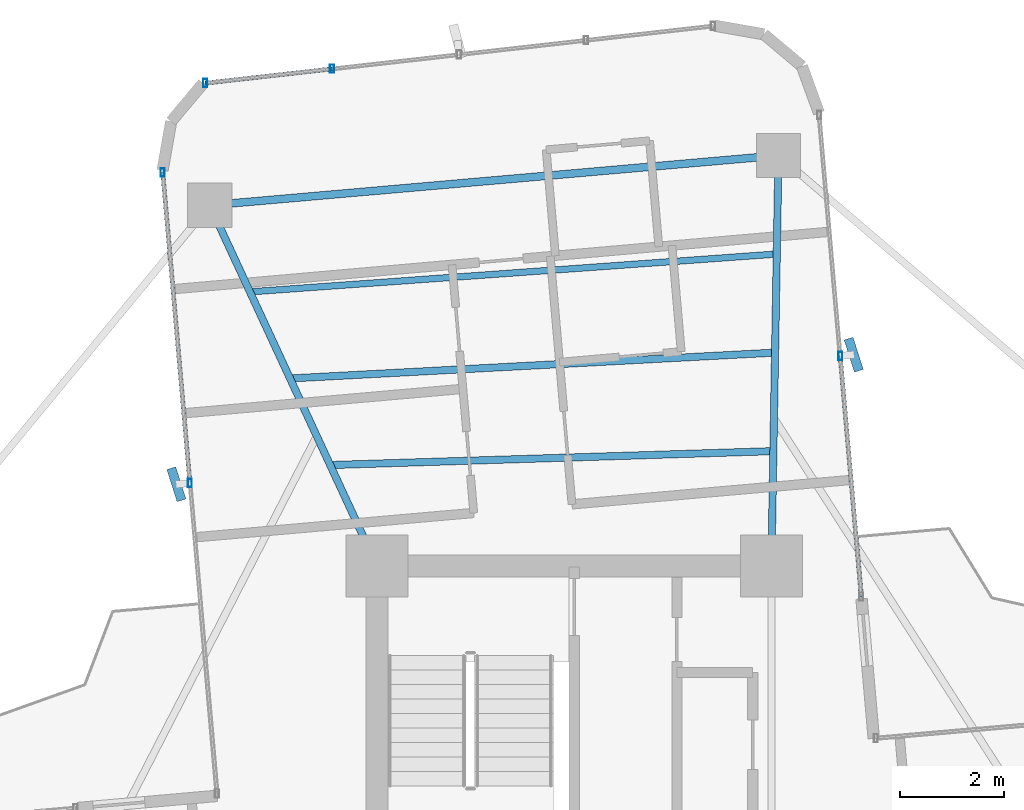
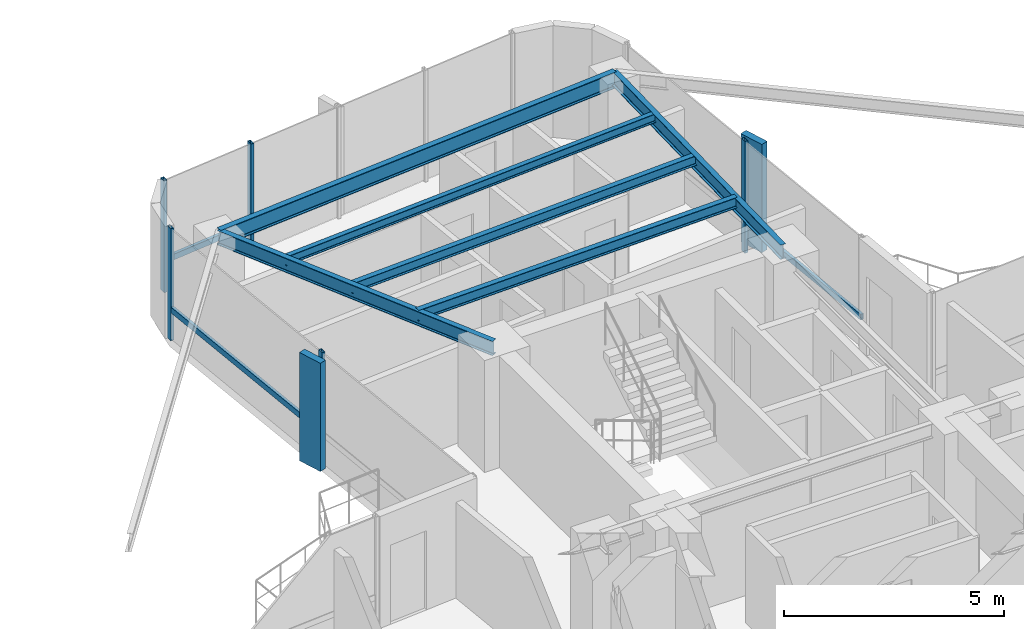
# One storey, part 16 of 24: 10 members, 6 beams, 3 elements without a shape of their own.
"""IFC4 building model written with IfcOpenShell, lengths in metres."""

from ifc_helpers import new_model, si_unit, direction, frame, origin, origin_2d, place, context, subcontext, project, spatial, rectangle, hollow_rectangle, i_section, extrude, source, transform, mapped, material, material_profile, profile_set, type_object, element, aggregate, save


model = new_model("IFC4")

# Units and contexts
model_context = context("Model", 3, precision=1e-05, world=origin(), true_north=direction((0.0, 1.0)))
body_context = subcontext(model_context, "Body", "Model", "MODEL_VIEW")
ifc_project = project(units=[si_unit("LENGTHUNIT", "METRE"), si_unit("AREAUNIT", "SQUARE_METRE"), si_unit("VOLUMEUNIT", "CUBIC_METRE"), si_unit("PLANEANGLEUNIT", "RADIAN"), si_unit("MASSUNIT", "GRAM", prefix="KILO")], contexts=[model_context])

# Site, building, storey
site_placement = place(None, origin())
site = spatial("IfcSite", under=ifc_project, at=site_placement, CompositionType="ELEMENT")
building_placement = place(site_placement, origin())
building = spatial("IfcBuilding", under=site, at=building_placement, Name="Sahyath Konkavel Grand Hotel", CompositionType="ELEMENT")
storey_placement = place(building_placement, frame((0.0, 0.0, 157.300048828125)))
storey = spatial("IfcBuildingStorey", under=building, at=storey_placement, Name="L43", CompositionType="ELEMENT", Elevation=157.300048828125)

# Beams
ifc_material_1 = material(Name="Steel E350", Category="steel")
ifc_material_profile_1 = material_profile(ifc_material_1, i_section(OverallWidth=0.139892578125, OverallDepth=0.39990234375, WebThickness=0.0087890625, FlangeThickness=0.01611328125, FilletRadius=0.013916015625, at=origin_2d()), Name="ISMB 400")
ifc_profile_set_1 = profile_set([ifc_material_profile_1], Name="Steel E350")
beam_type_1 = type_object("IfcBeamType", Name="BM-ISMB400", PredefinedType="BEAM", material=ifc_profile_set_1)
shared_shape_1 = source(origin(), body_context, "Body", "SweptSolid", [
    extrude(i_section(OverallWidth=0.139892578125, OverallDepth=0.39990234375, WebThickness=0.0087890625, FlangeThickness=0.01611328125, FilletRadius=0.013916015625, at=origin_2d()), origin(), (0.0, 0.0, 1.0), 7.913330078125),
])
beam_1_placement = place(storey_placement, frame((3.800048828125, 10.199951171875, 2.909912109375), z_axis=(0.017215419232, 0.999851803689, 0.0), x_axis=(-0.999851803689, 0.017215419232, 0.0)))
element("IfcBeam", 1, at=beam_1_placement, inside=storey, type_object=beam_type_1, Name="L43 Cruciform Radial Girder NA", PredefinedType="BEAM", context=body_context, shape_type="MappedRepresentation", body=[
    mapped(shared_shape_1, transform((0.0, 0.0, 0.0), scale=1.0)),
])
shared_shape_2 = source(origin(), body_context, "Body", "SweptSolid", [
    extrude(i_section(OverallWidth=0.139892578125, OverallDepth=0.39990234375, WebThickness=0.0087890625, FlangeThickness=0.01611328125, FilletRadius=0.013916015625, at=origin_2d()), origin(), (0.0, 0.0, 1.0), 7.66357421875),
])
beam_2_placement = place(storey_placement, frame((-3.800048828125, 10.199951171875, 2.909912109375), z_axis=(-0.420395127561, 0.907341135804, 0.0), x_axis=(-0.907341135804, -0.420395127561, 0.0)))
element("IfcBeam", 2, at=beam_2_placement, inside=storey, type_object=beam_type_1, Name="L43 Cruciform Radial Girder NB", PredefinedType="BEAM", context=body_context, shape_type="MappedRepresentation", body=[
    mapped(shared_shape_2, transform((0.0, 0.0, 0.0), scale=1.0)),
])
ifc_material_profile_2 = material_profile(ifc_material_1, i_section(OverallWidth=0.14990234375, OverallDepth=0.449951171875, WebThickness=0.009521484375, FlangeThickness=0.017333984375, FilletRadius=0.014892578125, at=origin_2d()), Name="ISMB 450")
ifc_profile_set_2 = profile_set([ifc_material_profile_2], Name="Steel E350")
beam_type_2 = type_object("IfcBeamType", Name="BM-ISMB450", PredefinedType="BEAM", material=ifc_profile_set_2)
shared_shape_3 = source(origin(), body_context, "Body", "SweptSolid", [
    extrude(i_section(OverallWidth=0.14990234375, OverallDepth=0.449951171875, WebThickness=0.009521484375, FlangeThickness=0.017333984375, FilletRadius=0.014892578125, at=origin_2d()), origin(), (0.0, 0.0, 1.0), 10.999755859375),
])
beam_3_placement = place(storey_placement, frame((3.936279296875, 18.112060546875, 2.885009765625), z_axis=(-0.99619439202, -0.087159241098, 0.0), x_axis=(0.087159241098, -0.99619439202, 0.0)))
element("IfcBeam", 3, at=beam_3_placement, inside=storey, type_object=beam_type_2, Name="L43 Wing Tip Edge Beam N", PredefinedType="BEAM", context=body_context, shape_type="MappedRepresentation", body=[
    mapped(shared_shape_3, transform((0.0, 0.0, 0.0), scale=1.0)),
])
ifc_material_profile_3 = material_profile(ifc_material_1, i_section(OverallWidth=0.139892578125, OverallDepth=0.300048828125, WebThickness=0.0078125, FlangeThickness=0.01318359375, FilletRadius=0.013916015625, at=origin_2d()), Name="ISMB 300")
ifc_profile_set_3 = profile_set([ifc_material_profile_3], Name="Steel E350")
beam_type_3 = type_object("IfcBeamType", Name="BM-ISMB300", PredefinedType="BEAM", material=ifc_profile_set_3)
shared_shape_4 = source(origin(), body_context, "Body", "SweptSolid", [
    extrude(i_section(OverallWidth=0.139892578125, OverallDepth=0.300048828125, WebThickness=0.0078125, FlangeThickness=0.01318359375, FilletRadius=0.013916015625, at=origin_2d()), origin(), (0.0, 0.0, 1.0), 8.54443359375),
])
beam_4_placement = place(storey_placement, frame((3.838134765625, 12.415283203125, 2.9599609375), z_axis=(-0.999506849365, -0.031401561632, 0.0), x_axis=(0.031401561632, -0.999506849365, 0.0)))
element("IfcBeam", 4, at=beam_4_placement, inside=storey, type_object=beam_type_3, Name="L43 Secondary Floor Beam N-1", PredefinedType="BEAM", context=body_context, shape_type="MappedRepresentation", body=[
    mapped(shared_shape_4, transform((0.0, 0.0, 0.0), scale=1.0)),
])
ifc_material_profile_4 = material_profile(ifc_material_1, i_section(OverallWidth=0.139892578125, OverallDepth=0.27490234375, WebThickness=0.00634765625, FlangeThickness=0.0087890625, FilletRadius=0.012939453125, at=origin_2d()), Name="ISLB 275")
ifc_profile_set_4 = profile_set([ifc_material_profile_4], Name="Steel E350")
beam_type_4 = type_object("IfcBeamType", Name="BM-ISLB275", PredefinedType="BEAM", material=ifc_profile_set_4)
shared_shape_5 = source(origin(), body_context, "Body", "SweptSolid", [
    extrude(i_section(OverallWidth=0.139892578125, OverallDepth=0.27490234375, WebThickness=0.00634765625, FlangeThickness=0.0087890625, FilletRadius=0.012939453125, at=origin_2d()), origin(), (0.0, 0.0, 1.0), 9.359375),
])
beam_5_placement = place(storey_placement, frame((3.870849609375, 14.314208984375, 2.972412109375), z_axis=(-0.998580397723, -0.053265272769, 0.0), x_axis=(0.053265272769, -0.998580397723, 0.0)))
element("IfcBeam", 5, at=beam_5_placement, inside=storey, type_object=beam_type_4, Name="L43 Secondary Floor Beam N-2", PredefinedType="BEAM", context=body_context, shape_type="MappedRepresentation", body=[
    mapped(shared_shape_5, transform((0.0, 0.0, 0.0), scale=1.0)),
])
ifc_material_profile_5 = material_profile(ifc_material_1, i_section(OverallWidth=0.125, OverallDepth=0.25, WebThickness=0.0068359375, FlangeThickness=0.012451171875, FilletRadius=0.012939453125, at=origin_2d()), Name="ISMB 250")
ifc_profile_set_5 = profile_set([ifc_material_profile_5], Name="Steel E350")
beam_type_5 = type_object("IfcBeamType", Name="BM-ISMB250", PredefinedType="BEAM", material=ifc_profile_set_5)
shared_shape_6 = source(origin(), body_context, "Body", "SweptSolid", [
    extrude(i_section(OverallWidth=0.125, OverallDepth=0.25, WebThickness=0.0068359375, FlangeThickness=0.012451171875, FilletRadius=0.012939453125, at=origin_2d()), origin(), (0.0, 0.0, 1.0), 10.178466796875),
])
beam_6_placement = place(storey_placement, frame((3.90380859375, 16.213134765625, 2.98486328125), z_axis=(-0.997435268886, -0.071574327683, 0.0), x_axis=(0.071574327683, -0.997435268886, 0.0)))
element("IfcBeam", 6, at=beam_6_placement, inside=storey, type_object=beam_type_5, Name="L43 Secondary Floor Beam N-3", PredefinedType="BEAM", context=body_context, shape_type="MappedRepresentation", body=[
    mapped(shared_shape_6, transform((0.0, 0.0, 0.0), scale=1.0)),
])

# Curtain wall, member
ifc_material_2 = material(Name="Anodised Bronze Aluminium & Low-E Glazing", Category="aluminium")
curtain_wall_type = type_object("IfcCurtainWallType", Name="CW-ZONE3", PredefinedType="NOTDEFINED", material=ifc_material_2)
curtain_wall_1_placement = place(storey_placement, origin())
curtain_wall_1 = element("IfcCurtainWall", 7, at=curtain_wall_1_placement, inside=storey, type_object=curtain_wall_type, Name="L43 Unitised Curtain Wall F8", PredefinedType="NOTDEFINED")
ifc_material_3 = material(Name="Anodised Bronze Aluminium", Category="aluminium")
ifc_material_profile_6 = material_profile(ifc_material_3, hollow_rectangle(XDim=0.080078125, YDim=0.159912109375, WallThickness=0.006103515625, at=origin_2d()), Name="RHS 160x80x6")
ifc_profile_set_6 = profile_set([ifc_material_profile_6], Name="Anodised Bronze Aluminium")
member_type_1 = type_object("IfcMemberType", Name="CW-MUL-160", PredefinedType="MULLION", material=ifc_profile_set_6)
shared_shape_7 = source(origin(), body_context, "Body", "SweptSolid", [
    extrude(hollow_rectangle(XDim=0.080078125, YDim=0.159912109375, WallThickness=0.006103515625, at=origin_2d()), origin(), (0.0, 0.0, 1.0), 3.10986328125),
])
member_1_placement = place(storey_placement, frame((5.12744140625, 14.251220703125, 0.0), z_axis=(0.0, 0.0, 1.0), x_axis=(1.0, 0.0, 0.0)))
member_1 = element("IfcMember", 8, at=member_1_placement, type_object=member_type_1, Name="L43 Curtain Wall Mullion F8-1", PredefinedType="MULLION", context=body_context, shape_type="MappedRepresentation", body=[
    mapped(shared_shape_7, transform((0.0, 0.0, 0.0), scale=1.0)),
])

# Curtain wall, members
curtain_wall_2_placement = place(storey_placement, origin())
curtain_wall_2 = element("IfcCurtainWall", 9, at=curtain_wall_2_placement, inside=storey, type_object=curtain_wall_type, Name="L43 Unitised Curtain Wall F12", PredefinedType="NOTDEFINED")
member_2_placement = place(storey_placement, frame((-4.665771484375, 19.783203125, 0.0), z_axis=(0.0, 0.0, 1.0), x_axis=(1.0, 0.0, 0.0)))
member_2 = element("IfcMember", 10, at=member_2_placement, type_object=member_type_1, Name="L43 Curtain Wall Mullion F12-3", PredefinedType="MULLION", context=body_context, shape_type="MappedRepresentation", body=[
    mapped(shared_shape_7, transform((0.0, 0.0, 0.0), scale=1.0)),
])
member_3_placement = place(storey_placement, frame((-7.1123046875, 19.507568359375, 0.0), z_axis=(0.0, 0.0, 1.0), x_axis=(1.0, 0.0, 0.0)))
member_3 = element("IfcMember", 11, at=member_3_placement, type_object=member_type_1, Name="L43 Curtain Wall Mullion F12-4", PredefinedType="MULLION", context=body_context, shape_type="MappedRepresentation", body=[
    mapped(shared_shape_7, transform((0.0, 0.0, 0.0), scale=1.0)),
])

curtain_wall_3_placement = place(storey_placement, origin())
curtain_wall_3 = element("IfcCurtainWall", 12, at=curtain_wall_3_placement, inside=storey, type_object=curtain_wall_type, Name="L43 Unitised Curtain Wall F15", PredefinedType="NOTDEFINED")
member_4_placement = place(storey_placement, frame((-7.930419921875, 17.78662109375, 0.0), z_axis=(0.0, 0.0, 1.0), x_axis=(1.0, 0.0, 0.0)))
member_4 = element("IfcMember", 13, at=member_4_placement, type_object=member_type_1, Name="L43 Curtain Wall Mullion F15-0", PredefinedType="MULLION", context=body_context, shape_type="MappedRepresentation", body=[
    mapped(shared_shape_7, transform((0.0, 0.0, 0.0), scale=1.0)),
])
member_5_placement = place(storey_placement, frame((-7.406494140625, 11.79931640625, 0.0), z_axis=(0.0, 0.0, 1.0), x_axis=(1.0, 0.0, 0.0)))
member_5 = element("IfcMember", 14, at=member_5_placement, type_object=member_type_1, Name="L43 Curtain Wall Mullion F15-1", PredefinedType="MULLION", context=body_context, shape_type="MappedRepresentation", body=[
    mapped(shared_shape_7, transform((0.0, 0.0, 0.0), scale=1.0)),
])

# Member
ifc_material_4 = material(Name="Warm Buff Sandstone Cladding on Concrete C50/60", Category="masonry")
ifc_material_profile_7 = material_profile(ifc_material_4, rectangle(XDim=0.179931640625, YDim=0.64990234375, at=origin_2d()), Name="FIN 180x650")
ifc_profile_set_7 = profile_set([ifc_material_profile_7], Name="Warm Buff Sandstone Cladding on Concrete C50/60")
member_type_2 = type_object("IfcMemberType", Name="FIN-SANDSTONE-650", PredefinedType="MULLION", material=ifc_profile_set_7)
shared_shape_8 = source(origin(), body_context, "Body", "SweptSolid", [
    extrude(rectangle(XDim=0.179931640625, YDim=0.64990234375, at=origin_2d()), origin(), (0.0, 0.0, 1.0), 3.010009765625),
])
member_6_placement = place(storey_placement, frame((5.386474609375, 14.273681640625, 0.050048828125), z_axis=(0.0, 0.0, 1.0), x_axis=(0.952767550771, 0.303700500819, 0.0)))
member_6 = element("IfcMember", 15, at=member_6_placement, type_object=member_type_2, Name="L43 Sandstone Vertical Solar Fin FIN F8-1", PredefinedType="MULLION", context=body_context, shape_type="MappedRepresentation", body=[
    mapped(shared_shape_8, transform((0.0, 0.0, 0.0), scale=1.0)),
])

member_7_placement = place(storey_placement, frame((-7.66552734375, 11.776611328125, 0.050048828125), z_axis=(0.0, 0.0, 1.0), x_axis=(0.952767550771, 0.303700500819, 0.0)))
member_7 = element("IfcMember", 16, at=member_7_placement, type_object=member_type_2, Name="L43 Sandstone Vertical Solar Fin FIN F15-1", PredefinedType="MULLION", context=body_context, shape_type="MappedRepresentation", body=[
    mapped(shared_shape_8, transform((0.0, 0.0, 0.0), scale=1.0)),
])

ifc_material_profile_8 = material_profile(ifc_material_3, hollow_rectangle(XDim=0.080078125, YDim=0.159912109375, WallThickness=0.006103515625, at=origin_2d()), Name="RHS 160x80x6")
ifc_profile_set_8 = profile_set([ifc_material_profile_8], Name="Anodised Bronze Aluminium")
member_type_3 = type_object("IfcMemberType", Name="CW-TRN-160", PredefinedType="USERDEFINED", material=ifc_profile_set_8)
shared_shape_9 = source(origin(), body_context, "Body", "SweptSolid", [
    extrude(hollow_rectangle(XDim=0.080078125, YDim=0.159912109375, WallThickness=0.006103515625, at=origin_2d()), origin(), (0.0, 0.0, 1.0), 4.66015625),
])
member_8_placement = place(storey_placement, frame((5.53369140625, 9.60888671875, 0.849853515625), z_axis=(-0.087176698736, 0.996192864458, 0.0), x_axis=(-0.996192864458, -0.087176698736, 0.0)))
member_8 = element("IfcMember", 17, at=member_8_placement, type_object=member_type_3, Name="L43 Curtain Wall Transom F8-0-spandrel", ObjectType="TRANSOM", PredefinedType="USERDEFINED", context=body_context, shape_type="MappedRepresentation", body=[
    mapped(shared_shape_9, transform((0.0, 0.0, 0.0), scale=1.0)),
])

aggregate(curtain_wall_1, [member_1, member_6, member_8])

shared_shape_10 = source(origin(), body_context, "Body", "SweptSolid", [
    extrude(hollow_rectangle(XDim=0.080078125, YDim=0.159912109375, WallThickness=0.006103515625, at=origin_2d()), origin(), (0.0, 0.0, 1.0), 2.4619140625),
])
member_9_placement = place(storey_placement, frame((-4.665771484375, 19.783203125, 0.849853515625), z_axis=(-0.993713263833, -0.111955121731, 0.0), x_axis=(0.111955121731, -0.993713263833, 0.0)))
member_9 = element("IfcMember", 18, at=member_9_placement, type_object=member_type_3, Name="L43 Curtain Wall Transom F12-3-spandrel", ObjectType="TRANSOM", PredefinedType="USERDEFINED", context=body_context, shape_type="MappedRepresentation", body=[
    mapped(shared_shape_10, transform((0.0, 0.0, 0.0), scale=1.0)),
])

aggregate(curtain_wall_2, [member_2, member_3, member_9])

shared_shape_11 = source(origin(), body_context, "Body", "SweptSolid", [
    extrude(hollow_rectangle(XDim=0.080078125, YDim=0.159912109375, WallThickness=0.006103515625, at=origin_2d()), origin(), (0.0, 0.0, 1.0), 6.01025390625),
])
member_10_placement = place(storey_placement, frame((-7.930419921875, 17.78662109375, 0.849853515625), z_axis=(0.087172997156, -0.996193188376, 0.0), x_axis=(0.996193188376, 0.087172997156, 0.0)))
member_10 = element("IfcMember", 19, at=member_10_placement, type_object=member_type_3, Name="L43 Curtain Wall Transom F15-0-spandrel", ObjectType="TRANSOM", PredefinedType="USERDEFINED", context=body_context, shape_type="MappedRepresentation", body=[
    mapped(shared_shape_11, transform((0.0, 0.0, 0.0), scale=1.0)),
])

aggregate(curtain_wall_3, [member_4, member_5, member_7, member_10])

save(model, "model.ifc")
